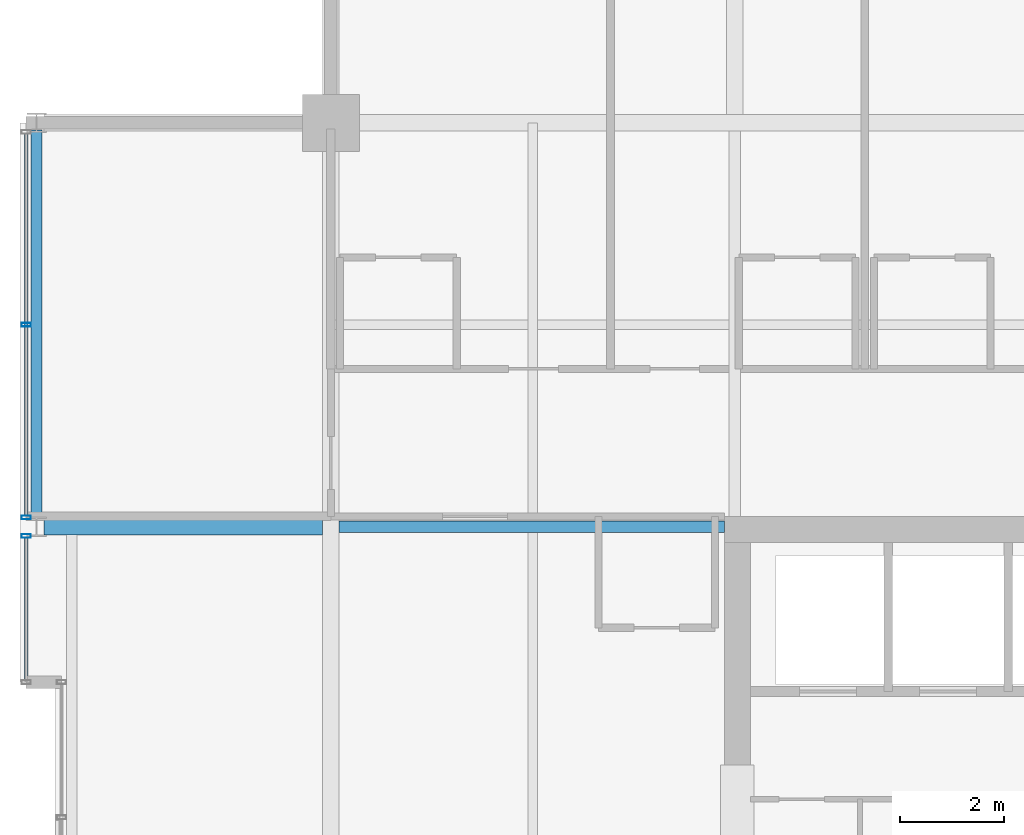
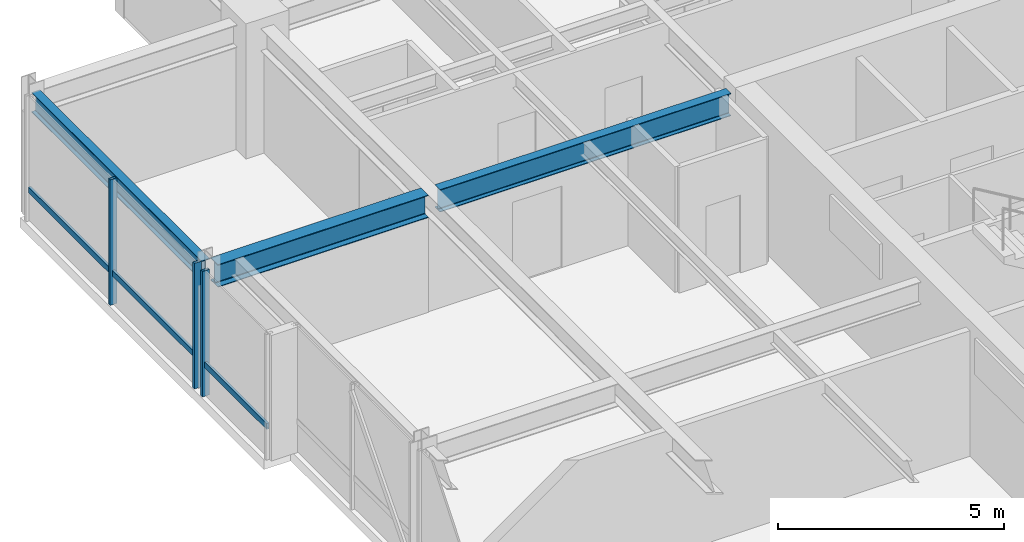
# One storey, part 16 of 32: 5 members, 3 beams, 2 elements without a shape of their own.
"""IFC4 building model written with IfcOpenShell, lengths in metres."""

import ifcopenshell
import ifcopenshell.guid

model = None  # the IFC model being written
_history = None  # IfcOwnerHistory: only IFC2X3 demands one
_inside = {}  # id of a spatial element -> (the spatial element, [elements in it])
_under = {}  # id of a project, library or spatial element -> (it, [spatial elements below it])
_declared = {}  # id of a project -> (the project, [libraries it declares])
_typed = {}  # id of a type object -> (the type object, [elements of that type])
_made_of = {}  # id of a material, layer set ... -> (it, [elements and type objects made of it])


def new_model(schema):
    """Start an empty IFC model of exactly this schema.

    Asked for "IFC4X3", IfcOpenShell would pick the latest addendum, in which some entities
    have other attributes; the version numbers below select the first issue.
    IFC2X3 requires an IfcOwnerHistory on every rooted entity: one is made here for all.
    """
    global model, _history
    if schema == "IFC4X3":
        model = ifcopenshell.file(schema_version=(4, 3, 0, 0))
    else:
        model = ifcopenshell.file(schema=schema)
    _inside.clear()
    _under.clear()
    _declared.clear()
    _typed.clear()
    _made_of.clear()
    _history = None
    if model.schema == "IFC2X3":
        org = make("IfcOrganization", Name="unknown")
        user = make(
            "IfcPersonAndOrganization",
            ThePerson=make("IfcPerson", FamilyName="unknown"),
            TheOrganization=org,
        )
        app = make(
            "IfcApplication",
            ApplicationDeveloper=org,
            Version="unknown",
            ApplicationFullName="unknown",
            ApplicationIdentifier="unknown",
        )
        _history = make(
            "IfcOwnerHistory",
            OwningUser=user,
            OwningApplication=app,
            ChangeAction="ADDED",
            CreationDate=0,
        )
    return model


def make(cls, **values):
    """One entity of the class cls with the attributes given. An attribute that is None is left unset."""
    return model.create_entity(
        cls, **{name: value for name, value in values.items() if value is not None}
    )


def rooted(cls, **values):
    """An entity with a GlobalId (a new one), such as an element, a storey or a relation."""
    return make(cls, GlobalId=ifcopenshell.guid.new(), OwnerHistory=_history, **values)


def si_unit(unit_type, name, prefix=None):
    """IfcSIUnit, for example si_unit("LENGTHUNIT", "METRE", prefix="MILLI")."""
    return make("IfcSIUnit", UnitType=unit_type, Prefix=prefix, Name=name)


def assignment(units):
    """IfcUnitAssignment: the units of a project."""
    return None if units is None else make("IfcUnitAssignment", Units=units)


def point(xyz):
    """IfcCartesianPoint."""
    return None if xyz is None else make("IfcCartesianPoint", Coordinates=xyz)


def direction(xyz):
    """IfcDirection."""
    return None if xyz is None else make("IfcDirection", DirectionRatios=xyz)


def frame(location, z_axis=None, x_axis=None):
    """IfcAxis2Placement3D, a coordinate frame: its origin and axes. An axis left out is left unset."""
    return make(
        "IfcAxis2Placement3D",
        Location=point(location),
        Axis=direction(z_axis),
        RefDirection=direction(x_axis),
    )


def frame_2d(location, x_axis=None):
    """IfcAxis2Placement2D, a coordinate frame in the plane: its origin and x axis."""
    return make(
        "IfcAxis2Placement2D", Location=point(location), RefDirection=direction(x_axis)
    )


def origin():
    """The frame at (0, 0, 0) with its axes left unset."""
    return frame((0.0, 0.0, 0.0))


def origin_2d():
    """The frame at (0, 0) in the plane with its x axis left unset."""
    return frame_2d((0.0, 0.0))


def place(relative_to, where):
    """IfcLocalPlacement: puts the frame where relative to a parent placement (None: the world)."""
    return make(
        "IfcLocalPlacement", PlacementRelTo=relative_to, RelativePlacement=where
    )


def context(
    kind, dimensions, precision=None, world=None, true_north=None, identifier=None
):
    """IfcGeometricRepresentationContext, for example the 3D "Model" context."""
    return make(
        "IfcGeometricRepresentationContext",
        ContextIdentifier=identifier,
        ContextType=kind,
        CoordinateSpaceDimension=dimensions,
        Precision=precision,
        WorldCoordinateSystem=world,
        TrueNorth=true_north,
    )


def subcontext(parent, identifier, kind, view, scale=None):
    """IfcGeometricRepresentationSubContext, for example "Body" below "Model"."""
    return make(
        "IfcGeometricRepresentationSubContext",
        ContextIdentifier=identifier,
        ContextType=kind,
        ParentContext=parent,
        TargetScale=scale,
        TargetView=view,
    )


def project(units=None, contexts=None):
    """IfcProject with its units and contexts."""
    return rooted(
        "IfcProject",
        Name="project",
        RepresentationContexts=contexts,
        UnitsInContext=assignment(units),
    )


def spatial(cls, under=None, at=None, **own):
    """A site, building, storey or space (cls), placed at a placement, below another one or the project."""
    s = rooted(cls, ObjectPlacement=at, **own)
    if under is not None:
        _under.setdefault(under.id(), (under, []))[1].append(s)
    return s


def profile(cls, at=None, kind="AREA", **sizes):
    """A parametric profile (cls). Its sizes go by their IFC names, for example OverallWidth=200.0."""
    return make(cls, ProfileType=kind, Position=at, **sizes)


def hollow_rectangle(**sizes):
    """IfcRectangleHollowProfileDef."""
    return profile("IfcRectangleHollowProfileDef", **sizes)


def i_section(**sizes):
    """IfcIShapeProfileDef."""
    return profile("IfcIShapeProfileDef", **sizes)


def extrude(swept, where, along, depth):
    """IfcExtrudedAreaSolid: the profile swept, set in the frame where, extruded along a direction by depth."""
    return make(
        "IfcExtrudedAreaSolid",
        SweptArea=swept,
        Position=where,
        ExtrudedDirection=direction(along),
        Depth=depth,
    )


def shape(context_of_items, identifier, shape_type, items):
    """IfcShapeRepresentation: the items that make up one representation, for example the "Body"."""
    return make(
        "IfcShapeRepresentation",
        ContextOfItems=context_of_items,
        RepresentationIdentifier=identifier,
        RepresentationType=shape_type,
        Items=items,
    )


def material(Name=None, Category=None):
    """IfcMaterial."""
    return make("IfcMaterial", Name=Name, Category=Category)


def layer(
    of_material, thickness, ventilated=None, Name=None, Category=None, Priority=None
):
    """IfcMaterialLayer: one layer of a wall or slab, of a material (None: an air gap)."""
    return make(
        "IfcMaterialLayer",
        Material=of_material,
        LayerThickness=thickness,
        IsVentilated=ventilated,
        Name=Name,
        Category=Category,
        Priority=Priority,
    )


def layer_set(layers, Name=None):
    """IfcMaterialLayerSet."""
    return make("IfcMaterialLayerSet", MaterialLayers=layers, LayerSetName=Name)


def material_profile(
    of_material, cross_section, Name=None, Category=None, Priority=None
):
    """IfcMaterialProfile: a cross section and its material."""
    return make(
        "IfcMaterialProfile",
        Name=Name,
        Material=of_material,
        Profile=cross_section,
        Priority=Priority,
        Category=Category,
    )


def profile_set(profiles, Name=None, composite=None):
    """IfcMaterialProfileSet."""
    return make(
        "IfcMaterialProfileSet",
        Name=Name,
        MaterialProfiles=profiles,
        CompositeProfile=composite,
    )


def made_of(thing, what):
    """Note that an element or type object is made of a material, layer set ...; save() writes the relation."""
    if what is not None:
        _made_of.setdefault(what.id(), (what, []))[1].append(thing)
    return thing


def type_object(cls, material=None, **own):
    """A type object (cls), such as IfcWallType, which elements share."""
    return made_of(rooted(cls, **own), material)


def element(
    cls,
    number,
    at=None,
    inside=None,
    cuts=None,
    type_object=None,
    material=None,
    context=None,
    identifier="Body",
    shape_type=None,
    held_by="IfcProductDefinitionShape",
    body=None,
    shapes=None,
    **own,
):
    """One element of the class cls, such as IfcWall. Its Tag is "e" and its number.

    at: its placement. inside: the storey or other place that contains it. cuts: it is an
    opening in that element (IfcRelVoidsElement). A single representation is given by context,
    identifier, shape_type and body (its items); several are given by shapes. held_by: the class
    of the entity that holds the representations. save() writes the other relations.
    """
    e = rooted(cls, Tag="e%d" % number, ObjectPlacement=at, **own)
    if body is not None:
        shapes = [shape(context, identifier, shape_type, body)]
    if shapes is not None:
        e.Representation = make(held_by, Representations=shapes)
    if inside is not None:
        _inside.setdefault(inside.id(), (inside, []))[1].append(e)
    if cuts is not None:
        rooted(
            "IfcRelVoidsElement", RelatingBuildingElement=cuts, RelatedOpeningElement=e
        )
    if type_object is not None:
        _typed.setdefault(type_object.id(), (type_object, []))[1].append(e)
    return made_of(e, material)


def aggregate(whole, parts):
    """IfcRelAggregates: a whole, such as a stair, and the parts it consists of."""
    return rooted("IfcRelAggregates", RelatingObject=whole, RelatedObjects=parts)


def save(model, path):
    """Write the relations noted so far, then the file.

    IfcRelAggregates (storeys below a building ...), IfcRelContainedInSpatialStructure (elements
    in a storey), IfcRelDefinesByType, IfcRelAssociatesMaterial and IfcRelDeclares: one each for
    every whole, place, type object, material and project.
    """
    for whole, parts in _under.values():
        aggregate(whole, parts)
    for where, things in _inside.values():
        rooted(
            "IfcRelContainedInSpatialStructure",
            RelatedElements=things,
            RelatingStructure=where,
        )
    for kind, things in _typed.values():
        rooted("IfcRelDefinesByType", RelatedObjects=things, RelatingType=kind)
    for what, things in _made_of.values():
        rooted("IfcRelAssociatesMaterial", RelatedObjects=things, RelatingMaterial=what)
    for by, libraries in _declared.values():
        rooted("IfcRelDeclares", RelatingContext=by, RelatedDefinitions=libraries)
    model.write(path)


model = new_model("IFC4")

# Units and contexts
model_context = context("Model", 3, precision=1e-05, world=origin(), true_north=direction((0.0, 1.0)))
body_context = subcontext(model_context, "Body", "Model", "MODEL_VIEW")
ifc_project = project(units=[si_unit("LENGTHUNIT", "METRE"), si_unit("AREAUNIT", "SQUARE_METRE"), si_unit("VOLUMEUNIT", "CUBIC_METRE"), si_unit("PLANEANGLEUNIT", "RADIAN"), si_unit("MASSUNIT", "GRAM", prefix="KILO")], contexts=[model_context])

# Site, building, storey
site_placement = place(None, origin())
site = spatial("IfcSite", under=ifc_project, at=site_placement, CompositionType="ELEMENT")
building_placement = place(site_placement, origin())
building = spatial("IfcBuilding", under=site, at=building_placement, Name="Drelvath Grand Hotel", CompositionType="ELEMENT")
storey_placement = place(building_placement, frame((0.0, 0.0, 265.0)))
storey = spatial("IfcBuildingStorey", under=building, at=storey_placement, Name="L69", CompositionType="ELEMENT", Elevation=265.0)

# Curtain wall, member
ifc_material_1 = material(Name="Platinum-Mist Anodised Aluminium Frame", Category="aluminium")
ifc_layer = layer(ifc_material_1, 0.199951171875)
ifc_layer_set = layer_set([ifc_layer], Name="Platinum-Mist Anodised Aluminium Frame")
curtain_wall_type = type_object("IfcCurtainWallType", Name="Stick Curtain Wall CW-05 Platinum Mist High-Rise", PredefinedType="NOTDEFINED", material=ifc_layer_set)
curtain_wall_1_placement = place(storey_placement, origin())
curtain_wall_1 = element("IfcCurtainWall", 1, at=curtain_wall_1_placement, inside=storey, type_object=curtain_wall_type, Name="L69 CW-05 Curtain Wall CW05-L69-WN1", PredefinedType="NOTDEFINED")
ifc_material_profile_1 = material_profile(ifc_material_1, hollow_rectangle(XDim=0.06494140625, YDim=0.159912109375, WallThickness=0.00390625, at=origin_2d()), Name="HSS160X65X4")
ifc_profile_set_1 = profile_set([ifc_material_profile_1], Name="Platinum-Mist Anodised Aluminium Frame")
member_type_1 = type_object("IfcMemberType", Name="Curtain Wall Horizontal Transom CW-05 HSS160X65X4", PredefinedType="USERDEFINED", material=ifc_profile_set_1)
member_1_placement = place(storey_placement, frame((-22.080078125, 32.43994140625, 0.847412109375), z_axis=(0.0, 1.0, 0.0), x_axis=(-1.0, 0.0, 0.0)))
member_1 = element("IfcMember", 2, at=member_1_placement, type_object=member_type_1, Name="CW05-L69-WN1 Sill Transom", ObjectType="TRANSOM", PredefinedType="USERDEFINED", context=body_context, shape_type="SweptSolid", body=[
    extrude(hollow_rectangle(XDim=0.06494140625, YDim=0.159912109375, WallThickness=0.00390625, at=origin_2d()), origin(), (0.0, 0.0, 1.0), 2.741943359375),
])

curtain_wall_2_placement = place(storey_placement, origin())
curtain_wall_2 = element("IfcCurtainWall", 3, at=curtain_wall_2_placement, inside=storey, type_object=curtain_wall_type, Name="L69 CW-05 Curtain Wall CW05-L69-WN2", PredefinedType="NOTDEFINED")
member_2_placement = place(storey_placement, frame((-22.080078125, 35.6181640625, 0.847412109375), z_axis=(0.0, 1.0, 0.0), x_axis=(-1.0, 0.0, 0.0)))
member_2 = element("IfcMember", 4, at=member_2_placement, type_object=member_type_1, Name="CW05-L69-WN2 Sill Transom", ObjectType="TRANSOM", PredefinedType="USERDEFINED", context=body_context, shape_type="SweptSolid", body=[
    extrude(hollow_rectangle(XDim=0.06494140625, YDim=0.159912109375, WallThickness=0.00390625, at=origin_2d()), origin(), (0.0, 0.0, 1.0), 7.363525390625),
])

# Member
ifc_material_profile_2 = material_profile(ifc_material_1, hollow_rectangle(XDim=0.074951171875, YDim=0.179931640625, WallThickness=0.0048828125, at=origin_2d()), Name="HSS180X75X5")
ifc_profile_set_2 = profile_set([ifc_material_profile_2], Name="Platinum-Mist Anodised Aluminium Frame")
member_type_2 = type_object("IfcMemberType", Name="Curtain Wall Vertical Mullion CW-05 HSS180X75X5", PredefinedType="MULLION", material=ifc_profile_set_2)
member_3_placement = place(storey_placement, frame((-22.080078125, 35.2216796875, 0.0), z_axis=(0.0, 0.0, 1.0), x_axis=(0.0, 1.0, 0.0)))
member_3 = element("IfcMember", 5, at=member_3_placement, type_object=member_type_2, Name="CW05-L69-WN1 Mullion 2", PredefinedType="MULLION", context=body_context, shape_type="SweptSolid", body=[
    extrude(hollow_rectangle(XDim=0.074951171875, YDim=0.179931640625, WallThickness=0.0048828125, at=origin_2d()), origin(), (0.0, 0.0, 1.0), 3.389892578125),
])

aggregate(curtain_wall_1, [member_3, member_1])

member_4_placement = place(storey_placement, frame((-22.080078125, 35.578125, 0.0), z_axis=(0.0, 0.0, 1.0), x_axis=(0.0, 1.0, 0.0)))
member_4 = element("IfcMember", 6, at=member_4_placement, type_object=member_type_2, Name="CW05-L69-WN2 Mullion 1", PredefinedType="MULLION", context=body_context, shape_type="SweptSolid", body=[
    extrude(hollow_rectangle(XDim=0.074951171875, YDim=0.179931640625, WallThickness=0.0048828125, at=origin_2d()), origin(), (0.0, 0.0, 1.0), 3.389892578125),
])

member_5_placement = place(storey_placement, frame((-22.080078125, 39.300048828125, 0.0), z_axis=(0.0, 0.0, 1.0), x_axis=(0.0, 1.0, 0.0)))
member_5 = element("IfcMember", 7, at=member_5_placement, type_object=member_type_2, Name="CW05-L69-WN2 Mullion 2", PredefinedType="MULLION", context=body_context, shape_type="SweptSolid", body=[
    extrude(hollow_rectangle(XDim=0.074951171875, YDim=0.179931640625, WallThickness=0.0048828125, at=origin_2d()), origin(), (0.0, 0.0, 1.0), 3.389892578125),
])

aggregate(curtain_wall_2, [member_4, member_5, member_2])

# Beams
ifc_material_2 = material(Name="Steel ASTM A992 Gr 50", Category="steel")
ifc_material_profile_3 = material_profile(ifc_material_2, i_section(OverallWidth=0.210205078125, OverallDepth=0.53662109375, WebThickness=0.010986328125, FlangeThickness=0.017333984375, FilletRadius=0.01806640625, at=origin_2d()), Name="W21X68")
ifc_profile_set_3 = profile_set([ifc_material_profile_3], Name="Steel ASTM A992 Gr 50")
beam_type_1 = type_object("IfcBeamType", Name="Perimeter Spandrel Beam W21X68", PredefinedType="SPANDREL", material=ifc_profile_set_3)
beam_1_placement = place(storey_placement, frame((-21.8798828125, 35.5400390625, 3.12158203125), z_axis=(0.0, 1.0, 0.0), x_axis=(-1.0, 0.0, 0.0)))
element("IfcBeam", 8, at=beam_1_placement, inside=storey, type_object=beam_type_1, Name="L69 Spandrel West N", PredefinedType="SPANDREL", context=body_context, shape_type="SweptSolid", body=[
    extrude(i_section(OverallWidth=0.210205078125, OverallDepth=0.53662109375, WebThickness=0.010986328125, FlangeThickness=0.017333984375, FilletRadius=0.01806640625, at=origin_2d()), origin(), (0.0, 0.0, 1.0), 7.52001953125),
])
ifc_material_profile_4 = material_profile(ifc_material_2, i_section(OverallWidth=0.323974609375, OverallDepth=0.611083984375, WebThickness=0.0126953125, FlangeThickness=0.01904296875, FilletRadius=0.02197265625, at=origin_2d()), Name="W24X104")
ifc_profile_set_4 = profile_set([ifc_material_profile_4], Name="Steel ASTM A992 Gr 50")
beam_type_2 = type_object("IfcBeamType", Name="Primary Floor Girder W24X104", PredefinedType="BEAM", material=ifc_profile_set_4)
beam_2_placement = place(storey_placement, frame((-21.739990234375, 35.39990234375, 3.08447265625), z_axis=(1.0, 0.0, 0.0), x_axis=(0.0, 1.0, 0.0)))
element("IfcBeam", 9, at=beam_2_placement, inside=storey, type_object=beam_type_2, Name="L69 West Wing Girder F", PredefinedType="BEAM", context=body_context, shape_type="SweptSolid", body=[
    extrude(i_section(OverallWidth=0.323974609375, OverallDepth=0.611083984375, WebThickness=0.0126953125, FlangeThickness=0.01904296875, FilletRadius=0.02197265625, at=origin_2d()), origin(), (0.0, 0.0, 1.0), 5.3779296875),
])
ifc_material_profile_5 = material_profile(ifc_material_2, i_section(OverallWidth=0.228271484375, OverallDepth=0.607666015625, WebThickness=0.01123046875, FlangeThickness=0.017333984375, FilletRadius=0.02001953125, at=origin_2d()), Name="W24X76")
ifc_profile_set_5 = profile_set([ifc_material_profile_5], Name="Steel ASTM A992 Gr 50")
beam_type_3 = type_object("IfcBeamType", Name="Primary Floor Girder W24X76", PredefinedType="BEAM", material=ifc_profile_set_5)
beam_3_placement = place(storey_placement, frame((-16.0380859375, 35.39990234375, 3.086181640625), z_axis=(1.0, 0.0, 0.0), x_axis=(0.0, 1.0, 0.0)))
element("IfcBeam", 10, at=beam_3_placement, inside=storey, type_object=beam_type_3, Name="L69 West Core Tie F", PredefinedType="BEAM", context=body_context, shape_type="SweptSolid", body=[
    extrude(i_section(OverallWidth=0.228271484375, OverallDepth=0.607666015625, WebThickness=0.01123046875, FlangeThickness=0.017333984375, FilletRadius=0.02001953125, at=origin_2d()), origin(), (0.0, 0.0, 1.0), 7.43798828125),
])

save(model, "model.ifc")
